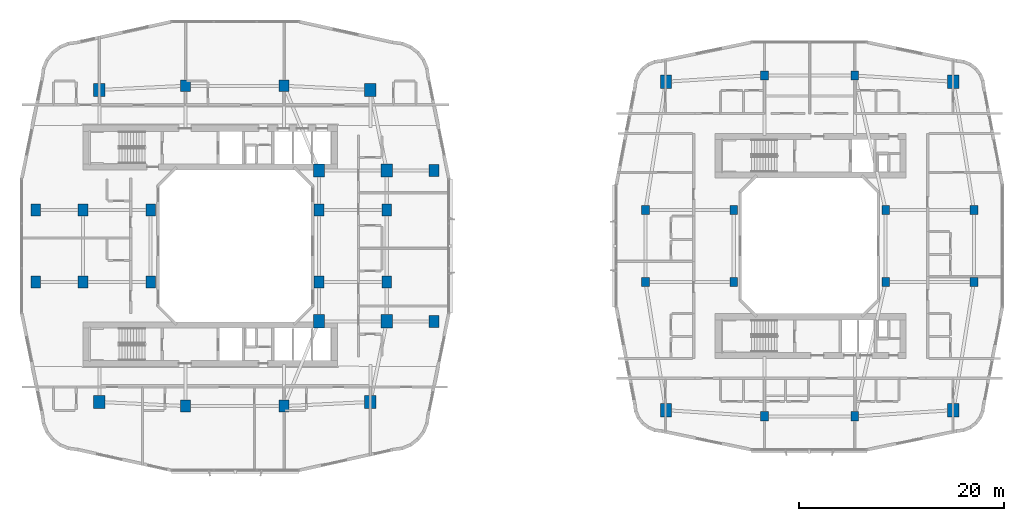
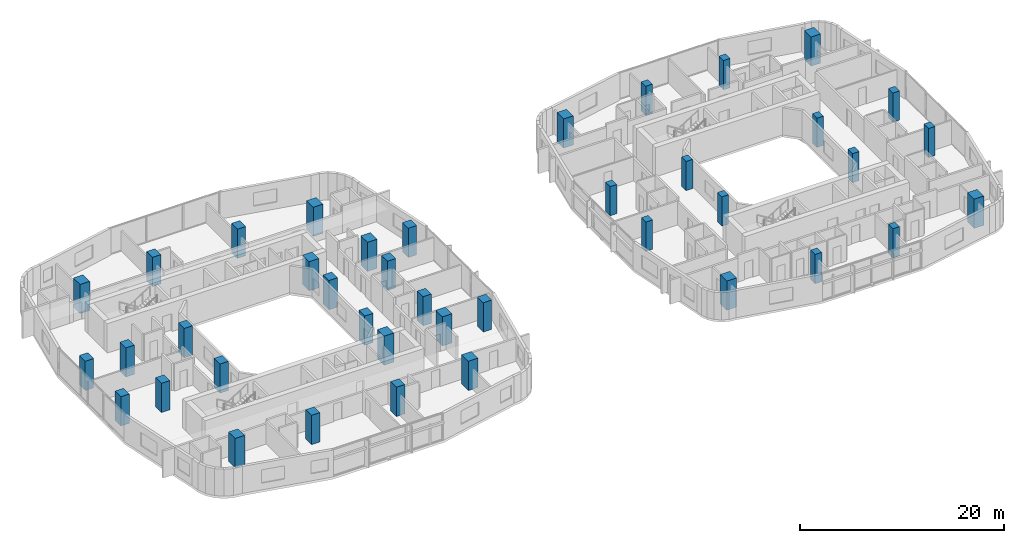
# One storey, part 1 of 27: 40 columns.
"""IFC4 building model written with IfcOpenShell, lengths in metres."""

from ifc_helpers import new_model, si_unit, derived_unit, direction, frame, origin, origin_2d, place, context, subcontext, project, spatial, rectangle, extrude, material, material_profile, profile_set, type_object, element, save


model = new_model("IFC4")

# Units and contexts
model_context = context("Model", 3, precision=1e-05, world=origin(), true_north=direction((0.0, 1.0)))
body_context = subcontext(model_context, "Body", "Model", "MODEL_VIEW")
ifc_project = project(units=[si_unit("LENGTHUNIT", "METRE"), si_unit("AREAUNIT", "SQUARE_METRE"), si_unit("VOLUMEUNIT", "CUBIC_METRE"), si_unit("PLANEANGLEUNIT", "RADIAN"), si_unit("MASSUNIT", "GRAM", prefix="KILO"), derived_unit("THERMALTRANSMITTANCEUNIT", [(si_unit("POWERUNIT", "WATT"), 1), (si_unit("LENGTHUNIT", "METRE"), -2), (si_unit("THERMODYNAMICTEMPERATUREUNIT", "KELVIN"), -1)])], contexts=[model_context])

# Site, building, storey
site_placement = place(None, origin())
site = spatial("IfcSite", under=ifc_project, at=site_placement, CompositionType="ELEMENT")
building_placement = place(site_placement, origin())
building = spatial("IfcBuilding", under=site, at=building_placement, Name="Kivonza Crest Hotel", CompositionType="ELEMENT")
storey_placement = place(building_placement, frame((0.0, 0.0, 38.0)))
storey = spatial("IfcBuildingStorey", under=building, at=storey_placement, Name="L09", CompositionType="ELEMENT", Elevation=38.0)

# Columns
ifc_material_1 = material(Name="Concrete C60/75", Category="concrete")
ifc_material_profile_1 = material_profile(ifc_material_1, rectangle(XDim=0.949951171875, YDim=1.14990234375, at=origin_2d()), Name="RC 1150x950")
ifc_profile_set_1 = profile_set([ifc_material_profile_1], Name="Concrete C60/75")
column_type_1 = type_object("IfcColumnType", Name="CL-RC-1150x950", PredefinedType="COLUMN", material=ifc_profile_set_1)
for number, where, z_axis, x_axis, name in (
    (1, (16.199951171875, 9.39990234375, 0.0), (0.0, 0.0, 1.0), (1.0, 0.0, 0.0), "Tower T1 L09 column S1"),
    (2, (25.800048828125, 9.39990234375, 0.0), (0.0, 0.0, 1.0), (1.0, 0.0, 0.0), "Tower T1 L09 column S2"),
    (3, (16.199951171875, 40.60009765625, 0.0), (0.0, 0.0, 1.0), (1.0, 0.0, 0.0), "Tower T1 L09 column N1"),
    (4, (25.800048828125, 40.60009765625, 0.0), (0.0, 0.0, 1.0), (1.0, 0.0, 0.0), "Tower T1 L09 column N2"),
    (5, (6.199951171875, 21.5, 0.0), (0.0, 0.0, 1.0), (1.0, 0.0, 0.0), "Tower T1 L09 column W1"),
    (6, (6.199951171875, 28.5, 0.0), (0.0, 0.0, 1.0), (1.0, 0.0, 0.0), "Tower T1 L09 column W2"),
    (7, (35.800048828125, 21.5, 0.0), (0.0, 0.0, 1.0), (1.0, 0.0, 0.0), "Tower T1 L09 column E1"),
    (8, (35.800048828125, 28.5, 0.0), (0.0, 0.0, 1.0), (1.0, 0.0, 0.0), "Tower T1 L09 column E2"),
    (9, (12.800048828125, 21.5, 0.0), (0.0, 0.0, 1.0), (1.0, 0.0, 0.0), "Tower T1 L09 column WL1"),
    (10, (12.800048828125, 28.5, 0.0), (0.0, 0.0, 1.0), (1.0, 0.0, 0.0), "Tower T1 L09 column WL2"),
    (11, (29.199951171875, 21.5, 0.0), (0.0, 0.0, 1.0), (1.0, 0.0, 0.0), "Tower T1 L09 column WR1"),
    (12, (29.199951171875, 28.5, 0.0), (0.0, 0.0, 1.0), (1.0, 0.0, 0.0), "Tower T1 L09 column WR2"),
    (13, (1.60009765625, 21.5, 0.0), (0.0, 0.0, 1.0), (1.0, 0.0, 0.0), "Tower T1 L09 column Z1W1"),
    (14, (1.60009765625, 28.5, 0.0), (0.0, 0.0, 1.0), (1.0, 0.0, 0.0), "Tower T1 L09 column Z1W2"),
    (15, (40.39990234375, 17.64990234375, 0.0), (0.0, 0.0, 1.0), (1.0, 0.0, 0.0), "Tower T1 L09 column Z1E1"),
    (16, (40.39990234375, 32.35009765625, 0.0), (0.0, 0.0, 1.0), (1.0, 0.0, 0.0), "Tower T1 L09 column Z1E2"),
):
    element("IfcColumn", number, at=place(storey_placement, frame(where, z_axis=z_axis, x_axis=x_axis)), inside=storey, type_object=column_type_1, Name=name, PredefinedType="COLUMN", context=body_context, shape_type="SweptSolid", body=[
        extrude(rectangle(XDim=0.949951171875, YDim=1.14990234375, at=origin_2d()), origin(), (0.0, 0.0, 1.0), 3.5),
    ])
ifc_material_profile_2 = material_profile(ifc_material_1, rectangle(XDim=1.10009765625, YDim=1.300048828125, at=origin_2d()), Name="RC 1300x1100")
ifc_profile_set_2 = profile_set([ifc_material_profile_2], Name="Concrete C60/75")
column_type_2 = type_object("IfcColumnType", Name="CL-RC-1300x1100", PredefinedType="COLUMN", material=ifc_profile_set_2)
for number, where, z_axis, x_axis, name in (
    (17, (7.800048828125, 9.800048828125, 0.0), (0.0, 0.0, 1.0), (1.0, 0.0, 0.0), "Tower T1 L09 column SW"),
    (18, (34.199951171875, 9.800048828125, 0.0), (0.0, 0.0, 1.0), (1.0, 0.0, 0.0), "Tower T1 L09 column SE"),
    (19, (34.199951171875, 40.199951171875, 0.0), (0.0, 0.0, 1.0), (1.0, 0.0, 0.0), "Tower T1 L09 column NE"),
    (20, (7.800048828125, 40.199951171875, 0.0), (0.0, 0.0, 1.0), (1.0, 0.0, 0.0), "Tower T1 L09 column NW"),
    (21, (35.800048828125, 17.64990234375, 0.0), (0.0, 0.0, 1.0), (1.0, 0.0, 0.0), "Tower T1 L09 column PSE"),
    (22, (35.800048828125, 32.35009765625, 0.0), (0.0, 0.0, 1.0), (1.0, 0.0, 0.0), "Tower T1 L09 column PNE"),
    (23, (29.199951171875, 17.64990234375, 0.0), (0.0, 0.0, 1.0), (1.0, 0.0, 0.0), "Tower T1 L09 column TSE"),
    (24, (29.199951171875, 32.35009765625, 0.0), (0.0, 0.0, 1.0), (1.0, 0.0, 0.0), "Tower T1 L09 column TNE"),
    (25, (63.0, 9.0, 0.0), (0.0, 0.0, 1.0), (1.0, 0.0, 0.0), "Companion Tower T2 L09 column SW"),
    (26, (91.0, 9.0, 0.0), (0.0, 0.0, 1.0), (1.0, 0.0, 0.0), "Companion Tower T2 L09 column SE"),
    (27, (91.0, 41.0, 0.0), (0.0, 0.0, 1.0), (1.0, 0.0, 0.0), "Companion Tower T2 L09 column NE"),
    (28, (63.0, 41.0, 0.0), (0.0, 0.0, 1.0), (1.0, 0.0, 0.0), "Companion Tower T2 L09 column NW"),
):
    element("IfcColumn", number, at=place(storey_placement, frame(where, z_axis=z_axis, x_axis=x_axis)), inside=storey, type_object=column_type_2, Name=name, PredefinedType="COLUMN", context=body_context, shape_type="SweptSolid", body=[
        extrude(rectangle(XDim=1.10009765625, YDim=1.300048828125, at=origin_2d()), origin(), (0.0, 0.0, 1.0), 3.5),
    ])
ifc_material_2 = material(Name="Concrete C50/60", Category="concrete")
ifc_material_profile_3 = material_profile(ifc_material_2, rectangle(XDim=0.75, YDim=0.89990234375, at=origin_2d()), Name="RC 900x750")
ifc_profile_set_3 = profile_set([ifc_material_profile_3], Name="Concrete C50/60")
column_type_3 = type_object("IfcColumnType", Name="CL-RC-900x750", PredefinedType="COLUMN", material=ifc_profile_set_3)
for number, where, z_axis, x_axis, name in (
    (29, (72.60009765625, 8.39990234375, 0.0), (0.0, 0.0, 1.0), (1.0, 0.0, 0.0), "Companion Tower T2 L09 column S1"),
    (30, (81.39990234375, 8.39990234375, 0.0), (0.0, 0.0, 1.0), (1.0, 0.0, 0.0), "Companion Tower T2 L09 column S2"),
    (31, (72.60009765625, 41.60009765625, 0.0), (0.0, 0.0, 1.0), (1.0, 0.0, 0.0), "Companion Tower T2 L09 column N1"),
    (32, (81.39990234375, 41.60009765625, 0.0), (0.0, 0.0, 1.0), (1.0, 0.0, 0.0), "Companion Tower T2 L09 column N2"),
    (33, (61.0, 21.5, 0.0), (0.0, 0.0, 1.0), (1.0, 0.0, 0.0), "Companion Tower T2 L09 column W1"),
    (34, (61.0, 28.5, 0.0), (0.0, 0.0, 1.0), (1.0, 0.0, 0.0), "Companion Tower T2 L09 column W2"),
    (35, (93.0, 21.5, 0.0), (0.0, 0.0, 1.0), (1.0, 0.0, 0.0), "Companion Tower T2 L09 column E1"),
    (36, (93.0, 28.5, 0.0), (0.0, 0.0, 1.0), (1.0, 0.0, 0.0), "Companion Tower T2 L09 column E2"),
    (37, (69.60009765625, 21.5, 0.0), (0.0, 0.0, 1.0), (1.0, 0.0, 0.0), "Companion Tower T2 L09 column WL1"),
    (38, (69.60009765625, 28.5, 0.0), (0.0, 0.0, 1.0), (1.0, 0.0, 0.0), "Companion Tower T2 L09 column WL2"),
    (39, (84.39990234375, 21.5, 0.0), (0.0, 0.0, 1.0), (1.0, 0.0, 0.0), "Companion Tower T2 L09 column WR1"),
    (40, (84.39990234375, 28.5, 0.0), (0.0, 0.0, 1.0), (1.0, 0.0, 0.0), "Companion Tower T2 L09 column WR2"),
):
    element("IfcColumn", number, at=place(storey_placement, frame(where, z_axis=z_axis, x_axis=x_axis)), inside=storey, type_object=column_type_3, Name=name, PredefinedType="COLUMN", context=body_context, shape_type="SweptSolid", body=[
        extrude(rectangle(XDim=0.75, YDim=0.89990234375, at=origin_2d()), origin(), (0.0, 0.0, 1.0), 3.5),
    ])

save(model, "model.ifc")
